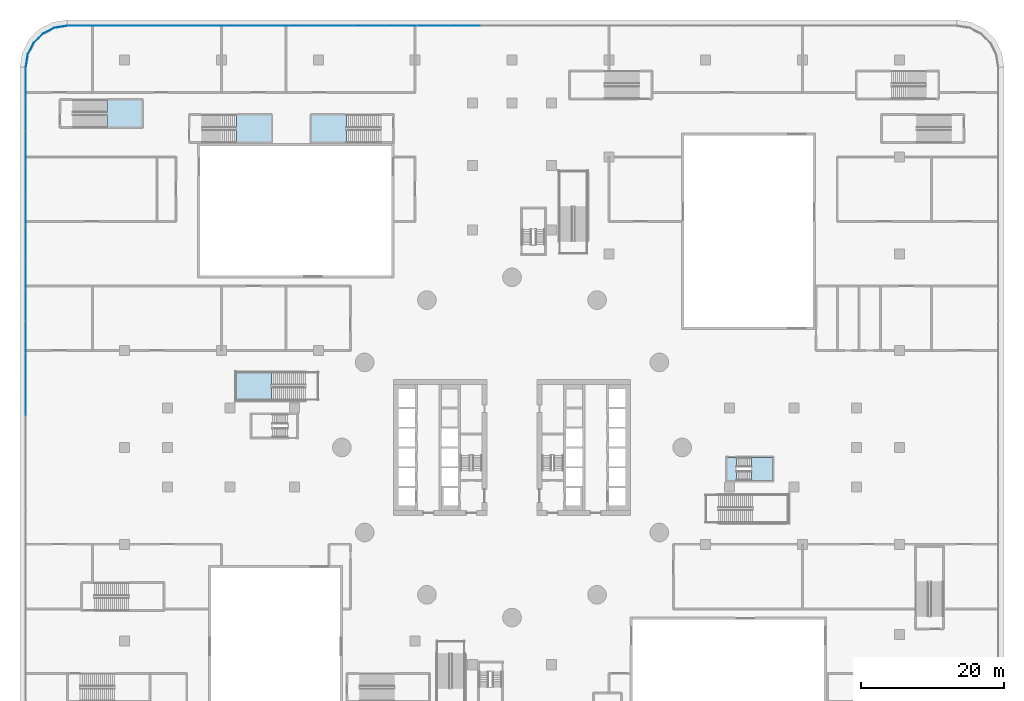
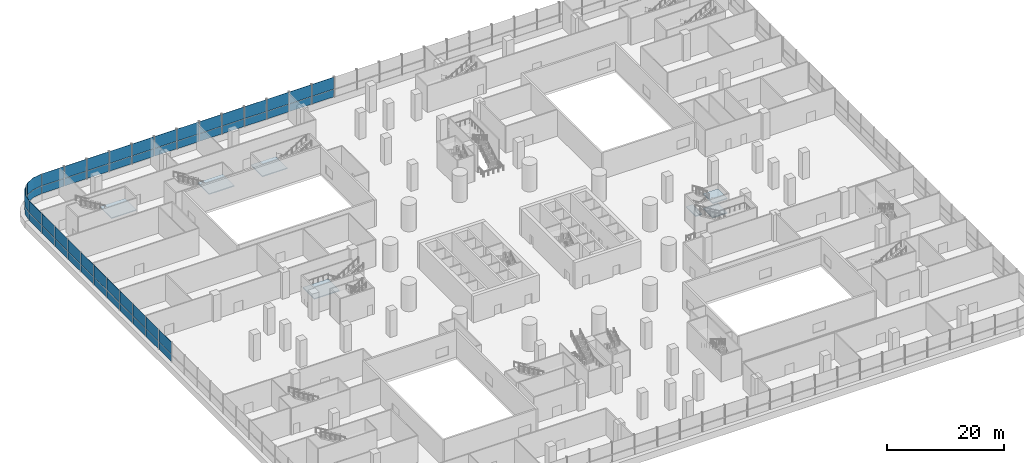
# One storey, part 25 of 52: 52 plates, 7 slabs, 8 elements without a shape of their own.
"""IFC4 building model written with IfcOpenShell, lengths in metres."""

from ifc_helpers import new_model, si_unit, direction, frame, origin, place, context, subcontext, project, spatial, polyline, outline, extrude, material, layer, layer_set, type_object, element, aggregate, save


model = new_model("IFC4")

# Units and contexts
model_context = context("Model", 3, precision=1e-05, world=origin(), true_north=direction((0.0, 1.0)))
body_context = subcontext(model_context, "Body", "Model", "MODEL_VIEW")
ifc_project = project(units=[si_unit("LENGTHUNIT", "METRE"), si_unit("AREAUNIT", "SQUARE_METRE"), si_unit("VOLUMEUNIT", "CUBIC_METRE"), si_unit("PLANEANGLEUNIT", "RADIAN"), si_unit("MASSUNIT", "GRAM", prefix="KILO")], contexts=[model_context])

# Site, building, storey
site_placement = place(None, origin())
site = spatial("IfcSite", under=ifc_project, at=site_placement, CompositionType="ELEMENT")
building_placement = place(site_placement, origin())
building = spatial("IfcBuilding", under=site, at=building_placement, Name="Tamarind Cross Interchange Tower", CompositionType="ELEMENT")
storey_placement = place(building_placement, frame((0.0, 0.0, 9.0)))
storey = spatial("IfcBuildingStorey", under=building, at=storey_placement, Name="L01", CompositionType="ELEMENT", Elevation=9.0)

# Stair, slab
ifc_material_1 = material(Name="Public stair")
stair_type_1 = type_object("IfcStairType", Name="Public stair", PredefinedType="HALF_TURN_STAIR", material=ifc_material_1)
stair_1_placement = place(storey_placement, origin())
stair_1 = element("IfcStair", 1, at=stair_1_placement, inside=storey, type_object=stair_type_1, Name="L01 public stair PS-W", PredefinedType="HALF_TURN_STAIR")
ifc_material_2 = material(Name="Concrete C40", Category="concrete")
ifc_layer_1 = layer(ifc_material_2, 0.199951171875)
ifc_layer_set_1 = layer_set([ifc_layer_1], Name="Concrete C40")
slab_type_1 = type_object("IfcSlabType", Name="Public stair landing", PredefinedType="LANDING", material=ifc_layer_set_1)
slab_1_placement = place(storey_placement, frame((0.0, 0.0, 2.800048828125)))
slab_1 = element("IfcSlab", 2, at=slab_1_placement, type_object=slab_type_1, Name="PS-W landing 1", PredefinedType="LANDING", context=body_context, shape_type="SweptSolid", body=[
    extrude(outline(polyline([(-33.56005859375, 10.5), (-38.5, 10.5), (-38.5, 6.60009765625), (-33.56005859375, 6.60009765625), (-33.56005859375, 10.5)])), origin(), (0.0, 0.0, 1.0), 0.199951171875),
])
aggregate(stair_1, [slab_1])

stair_2_placement = place(storey_placement, origin())
stair_2 = element("IfcStair", 3, at=stair_2_placement, inside=storey, type_object=stair_type_1, Name="L01 exit stair XS-P04", PredefinedType="HALF_TURN_STAIR")
slab_2_placement = place(storey_placement, frame((0.0, 0.0, 2.800048828125)))
slab_2 = element("IfcSlab", 4, at=slab_2_placement, type_object=slab_type_1, Name="XS-P04 landing 1", PredefinedType="LANDING", context=body_context, shape_type="SweptSolid", body=[
    extrude(outline(polyline([(-38.43994140625, 42.5), (-33.5, 42.5), (-33.5, 46.39990234375), (-38.43994140625, 46.39990234375), (-38.43994140625, 42.5)])), origin(), (0.0, 0.0, 1.0), 0.199951171875),
])
aggregate(stair_2, [slab_2])

stair_3_placement = place(storey_placement, origin())
stair_3 = element("IfcStair", 5, at=stair_3_placement, inside=storey, type_object=stair_type_1, Name="L01 exit stair XS-P05", PredefinedType="HALF_TURN_STAIR")
slab_3_placement = place(storey_placement, frame((0.0, 0.0, 2.800048828125)))
slab_3 = element("IfcSlab", 6, at=slab_3_placement, type_object=slab_type_1, Name="XS-P05 landing 1", PredefinedType="LANDING", context=body_context, shape_type="SweptSolid", body=[
    extrude(outline(polyline([(-56.43994140625, 44.60009765625), (-51.5, 44.60009765625), (-51.5, 48.5), (-56.43994140625, 48.5), (-56.43994140625, 44.60009765625)])), origin(), (0.0, 0.0, 1.0), 0.199951171875),
])
aggregate(stair_3, [slab_3])

stair_4_placement = place(storey_placement, origin())
stair_4 = element("IfcStair", 7, at=stair_4_placement, inside=storey, type_object=stair_type_1, Name="L01 exit stair XS-P06", PredefinedType="HALF_TURN_STAIR")
slab_4_placement = place(storey_placement, frame((0.0, 0.0, 2.800048828125)))
slab_4 = element("IfcSlab", 8, at=slab_4_placement, type_object=slab_type_1, Name="XS-P06 landing 1", PredefinedType="LANDING", context=body_context, shape_type="SweptSolid", body=[
    extrude(outline(polyline([(-23.06005859375, 46.39990234375), (-28.0, 46.39990234375), (-28.0, 42.5), (-23.06005859375, 42.5), (-23.06005859375, 46.39990234375)])), origin(), (0.0, 0.0, 1.0), 0.199951171875),
])
aggregate(stair_4, [slab_4])

# Stair, slabs
ifc_material_3 = material(Name="Exit stair")
stair_type_2 = type_object("IfcStairType", Name="Exit stair", PredefinedType="HALF_TURN_STAIR", material=ifc_material_3)
stair_5_placement = place(storey_placement, origin())
stair_5 = element("IfcStair", 9, at=stair_5_placement, inside=storey, type_object=stair_type_2, Name="L01 exit stair ST3", PredefinedType="HALF_TURN_STAIR")
ifc_layer_2 = layer(ifc_material_2, 0.199951171875)
ifc_layer_set_2 = layer_set([ifc_layer_2], Name="Concrete C40")
slab_type_2 = type_object("IfcSlabType", Name="Stair landing", PredefinedType="LANDING", material=ifc_layer_set_2)
slab_5_placement = place(storey_placement, frame((0.0, 0.0, 1.300048828125)))
slab_5 = element("IfcSlab", 10, at=slab_5_placement, type_object=slab_type_2, Name="ST3 landing 1", PredefinedType="LANDING", context=body_context, shape_type="SweptSolid", body=[
    extrude(outline(polyline([(33.367919921875, -4.60009765625), (36.300048828125, -4.60009765625), (36.300048828125, -1.39990234375), (33.367919921875, -1.39990234375), (33.367919921875, -4.60009765625)])), origin(), (0.0, 0.0, 1.0), 0.199951171875),
])
slab_6_placement = place(storey_placement, frame((0.0, 0.0, 2.800048828125)))
slab_6 = element("IfcSlab", 11, at=slab_6_placement, type_object=slab_type_2, Name="ST3 landing 2", PredefinedType="LANDING", context=body_context, shape_type="SweptSolid", body=[
    extrude(outline(polyline([(30.0, -4.60009765625), (31.31201171875, -4.60009765625), (31.31201171875, -1.39990234375), (30.0, -1.39990234375), (30.0, -4.60009765625)])), origin(), (0.0, 0.0, 1.0), 0.199951171875),
])
slab_7_placement = place(storey_placement, frame((0.0, 0.0, 4.300048828125)))
slab_7 = element("IfcSlab", 12, at=slab_7_placement, type_object=slab_type_2, Name="ST3 landing 3", PredefinedType="LANDING", context=body_context, shape_type="SweptSolid", body=[
    extrude(outline(polyline([(33.367919921875, -4.60009765625), (36.300048828125, -4.60009765625), (36.300048828125, -1.39990234375), (33.367919921875, -1.39990234375), (33.367919921875, -4.60009765625)])), origin(), (0.0, 0.0, 1.0), 0.199951171875),
])
aggregate(stair_5, [slab_5, slab_6, slab_7])

# Curtain wall, plates
ifc_material_4 = material(Name="Aluminium 6063-T6", Category="aluminium")
ifc_layer_3 = layer(ifc_material_4, 0.199951171875)
ifc_layer_set_3 = layer_set([ifc_layer_3], Name="Aluminium 6063-T6")
curtain_wall_type = type_object("IfcCurtainWallType", Name="Podium shopfront and station curtain wall", PredefinedType="NOTDEFINED", material=ifc_layer_set_3)
curtain_wall_1_placement = place(storey_placement, origin())
curtain_wall_1 = element("IfcCurtainWall", 13, at=curtain_wall_1_placement, inside=storey, type_object=curtain_wall_type, Name="CWS-L01-02", PredefinedType="NOTDEFINED")
ifc_material_5 = material(Name="Toughened low-e glass 10+12+10", Category="glass")
ifc_layer_4 = layer(ifc_material_5, 0.031982421875)
ifc_layer_set_4 = layer_set([ifc_layer_4], Name="Toughened low-e glass 10+12+10")
plate_type = type_object("IfcPlateType", Name="Vision panel CW3", PredefinedType="CURTAIN_PANEL", material=ifc_layer_set_4)
plate_1_placement = place(storey_placement, frame((0.0, 0.0, 1.39990234375)))
plate_1 = element("IfcPlate", 14, at=plate_1_placement, type_object=plate_type, Name="CWP-L01-02-15-0", PredefinedType="CURTAIN_PANEL", context=body_context, shape_type="SweptSolid", body=[
    extrude(outline(polyline([(-4.467529296875, 58.783935546875), (-8.81494140625, 58.783935546875), (-8.81494140625, 58.81591796875), (-4.467529296875, 58.81591796875), (-4.467529296875, 58.783935546875)])), origin(), (0.0, 0.0, 1.0), 1.570068359375),
])
plate_2_placement = place(storey_placement, frame((0.0, 0.0, 3.030029296875)))
plate_2 = element("IfcPlate", 15, at=plate_2_placement, type_object=plate_type, Name="CWP-L01-02-15-1", PredefinedType="CURTAIN_PANEL", context=body_context, shape_type="SweptSolid", body=[
    extrude(outline(polyline([(-4.467529296875, 58.783935546875), (-8.81494140625, 58.783935546875), (-8.81494140625, 58.81591796875), (-4.467529296875, 58.81591796875), (-4.467529296875, 58.783935546875)])), origin(), (0.0, 0.0, 1.0), 2.469970703125),
])
plate_3_placement = place(storey_placement, frame((0.0, 0.0, 1.39990234375)))
plate_3 = element("IfcPlate", 16, at=plate_3_placement, type_object=plate_type, Name="CWP-L01-02-16-0", PredefinedType="CURTAIN_PANEL", context=body_context, shape_type="SweptSolid", body=[
    extrude(outline(polyline([(-8.894775390625, 58.783935546875), (-13.242431640625, 58.783935546875), (-13.242431640625, 58.81591796875), (-8.894775390625, 58.81591796875), (-8.894775390625, 58.783935546875)])), origin(), (0.0, 0.0, 1.0), 1.570068359375),
])
plate_4_placement = place(storey_placement, frame((0.0, 0.0, 3.030029296875)))
plate_4 = element("IfcPlate", 17, at=plate_4_placement, type_object=plate_type, Name="CWP-L01-02-16-1", PredefinedType="CURTAIN_PANEL", context=body_context, shape_type="SweptSolid", body=[
    extrude(outline(polyline([(-8.894775390625, 58.783935546875), (-13.242431640625, 58.783935546875), (-13.242431640625, 58.81591796875), (-8.894775390625, 58.81591796875), (-8.894775390625, 58.783935546875)])), origin(), (0.0, 0.0, 1.0), 2.469970703125),
])
plate_5_placement = place(storey_placement, frame((0.0, 0.0, 1.39990234375)))
plate_5 = element("IfcPlate", 18, at=plate_5_placement, type_object=plate_type, Name="CWP-L01-02-17-0", PredefinedType="CURTAIN_PANEL", context=body_context, shape_type="SweptSolid", body=[
    extrude(outline(polyline([(-13.322265625, 58.783935546875), (-17.669677734375, 58.783935546875), (-17.669677734375, 58.81591796875), (-13.322265625, 58.81591796875), (-13.322265625, 58.783935546875)])), origin(), (0.0, 0.0, 1.0), 1.570068359375),
])
plate_6_placement = place(storey_placement, frame((0.0, 0.0, 3.030029296875)))
plate_6 = element("IfcPlate", 19, at=plate_6_placement, type_object=plate_type, Name="CWP-L01-02-17-1", PredefinedType="CURTAIN_PANEL", context=body_context, shape_type="SweptSolid", body=[
    extrude(outline(polyline([(-13.322265625, 58.783935546875), (-17.669677734375, 58.783935546875), (-17.669677734375, 58.81591796875), (-13.322265625, 58.81591796875), (-13.322265625, 58.783935546875)])), origin(), (0.0, 0.0, 1.0), 2.469970703125),
])
plate_7_placement = place(storey_placement, frame((0.0, 0.0, 1.39990234375)))
plate_7 = element("IfcPlate", 20, at=plate_7_placement, type_object=plate_type, Name="CWP-L01-02-18-0", PredefinedType="CURTAIN_PANEL", context=body_context, shape_type="SweptSolid", body=[
    extrude(outline(polyline([(-17.749755859375, 58.783935546875), (-22.09716796875, 58.783935546875), (-22.09716796875, 58.81591796875), (-17.749755859375, 58.81591796875), (-17.749755859375, 58.783935546875)])), origin(), (0.0, 0.0, 1.0), 1.570068359375),
])
plate_8_placement = place(storey_placement, frame((0.0, 0.0, 3.030029296875)))
plate_8 = element("IfcPlate", 21, at=plate_8_placement, type_object=plate_type, Name="CWP-L01-02-18-1", PredefinedType="CURTAIN_PANEL", context=body_context, shape_type="SweptSolid", body=[
    extrude(outline(polyline([(-17.749755859375, 58.783935546875), (-22.09716796875, 58.783935546875), (-22.09716796875, 58.81591796875), (-17.749755859375, 58.81591796875), (-17.749755859375, 58.783935546875)])), origin(), (0.0, 0.0, 1.0), 2.469970703125),
])
plate_9_placement = place(storey_placement, frame((0.0, 0.0, 1.39990234375)))
plate_9 = element("IfcPlate", 22, at=plate_9_placement, type_object=plate_type, Name="CWP-L01-02-19-0", PredefinedType="CURTAIN_PANEL", context=body_context, shape_type="SweptSolid", body=[
    extrude(outline(polyline([(-22.17724609375, 58.783935546875), (-26.524658203125, 58.783935546875), (-26.524658203125, 58.81591796875), (-22.17724609375, 58.81591796875), (-22.17724609375, 58.783935546875)])), origin(), (0.0, 0.0, 1.0), 1.570068359375),
])
plate_10_placement = place(storey_placement, frame((0.0, 0.0, 3.030029296875)))
plate_10 = element("IfcPlate", 23, at=plate_10_placement, type_object=plate_type, Name="CWP-L01-02-19-1", PredefinedType="CURTAIN_PANEL", context=body_context, shape_type="SweptSolid", body=[
    extrude(outline(polyline([(-22.17724609375, 58.783935546875), (-26.524658203125, 58.783935546875), (-26.524658203125, 58.81591796875), (-22.17724609375, 58.81591796875), (-22.17724609375, 58.783935546875)])), origin(), (0.0, 0.0, 1.0), 2.469970703125),
])
plate_11_placement = place(storey_placement, frame((0.0, 0.0, 1.39990234375)))
plate_11 = element("IfcPlate", 24, at=plate_11_placement, type_object=plate_type, Name="CWP-L01-02-20-0", PredefinedType="CURTAIN_PANEL", context=body_context, shape_type="SweptSolid", body=[
    extrude(outline(polyline([(-26.604736328125, 58.783935546875), (-30.9521484375, 58.783935546875), (-30.9521484375, 58.81591796875), (-26.604736328125, 58.81591796875), (-26.604736328125, 58.783935546875)])), origin(), (0.0, 0.0, 1.0), 1.570068359375),
])
plate_12_placement = place(storey_placement, frame((0.0, 0.0, 3.030029296875)))
plate_12 = element("IfcPlate", 25, at=plate_12_placement, type_object=plate_type, Name="CWP-L01-02-20-1", PredefinedType="CURTAIN_PANEL", context=body_context, shape_type="SweptSolid", body=[
    extrude(outline(polyline([(-26.604736328125, 58.783935546875), (-30.9521484375, 58.783935546875), (-30.9521484375, 58.81591796875), (-26.604736328125, 58.81591796875), (-26.604736328125, 58.783935546875)])), origin(), (0.0, 0.0, 1.0), 2.469970703125),
])
plate_13_placement = place(storey_placement, frame((0.0, 0.0, 1.39990234375)))
plate_13 = element("IfcPlate", 26, at=plate_13_placement, type_object=plate_type, Name="CWP-L01-02-21-0", PredefinedType="CURTAIN_PANEL", context=body_context, shape_type="SweptSolid", body=[
    extrude(outline(polyline([(-31.0322265625, 58.783935546875), (-35.379638671875, 58.783935546875), (-35.379638671875, 58.81591796875), (-31.0322265625, 58.81591796875), (-31.0322265625, 58.783935546875)])), origin(), (0.0, 0.0, 1.0), 1.570068359375),
])
plate_14_placement = place(storey_placement, frame((0.0, 0.0, 3.030029296875)))
plate_14 = element("IfcPlate", 27, at=plate_14_placement, type_object=plate_type, Name="CWP-L01-02-21-1", PredefinedType="CURTAIN_PANEL", context=body_context, shape_type="SweptSolid", body=[
    extrude(outline(polyline([(-31.0322265625, 58.783935546875), (-35.379638671875, 58.783935546875), (-35.379638671875, 58.81591796875), (-31.0322265625, 58.81591796875), (-31.0322265625, 58.783935546875)])), origin(), (0.0, 0.0, 1.0), 2.469970703125),
])
plate_15_placement = place(storey_placement, frame((0.0, 0.0, 1.39990234375)))
plate_15 = element("IfcPlate", 28, at=plate_15_placement, type_object=plate_type, Name="CWP-L01-02-22-0", PredefinedType="CURTAIN_PANEL", context=body_context, shape_type="SweptSolid", body=[
    extrude(outline(polyline([(-35.45947265625, 58.783935546875), (-39.80712890625, 58.783935546875), (-39.80712890625, 58.81591796875), (-35.45947265625, 58.81591796875), (-35.45947265625, 58.783935546875)])), origin(), (0.0, 0.0, 1.0), 1.570068359375),
])
plate_16_placement = place(storey_placement, frame((0.0, 0.0, 3.030029296875)))
plate_16 = element("IfcPlate", 29, at=plate_16_placement, type_object=plate_type, Name="CWP-L01-02-22-1", PredefinedType="CURTAIN_PANEL", context=body_context, shape_type="SweptSolid", body=[
    extrude(outline(polyline([(-35.45947265625, 58.783935546875), (-39.80712890625, 58.783935546875), (-39.80712890625, 58.81591796875), (-35.45947265625, 58.81591796875), (-35.45947265625, 58.783935546875)])), origin(), (0.0, 0.0, 1.0), 2.469970703125),
])
plate_17_placement = place(storey_placement, frame((0.0, 0.0, 1.39990234375)))
plate_17 = element("IfcPlate", 30, at=plate_17_placement, type_object=plate_type, Name="CWP-L01-02-23-0", PredefinedType="CURTAIN_PANEL", context=body_context, shape_type="SweptSolid", body=[
    extrude(outline(polyline([(-39.886962890625, 58.783935546875), (-44.234375, 58.783935546875), (-44.234375, 58.81591796875), (-39.886962890625, 58.81591796875), (-39.886962890625, 58.783935546875)])), origin(), (0.0, 0.0, 1.0), 1.570068359375),
])
plate_18_placement = place(storey_placement, frame((0.0, 0.0, 3.030029296875)))
plate_18 = element("IfcPlate", 31, at=plate_18_placement, type_object=plate_type, Name="CWP-L01-02-23-1", PredefinedType="CURTAIN_PANEL", context=body_context, shape_type="SweptSolid", body=[
    extrude(outline(polyline([(-39.886962890625, 58.783935546875), (-44.234375, 58.783935546875), (-44.234375, 58.81591796875), (-39.886962890625, 58.81591796875), (-39.886962890625, 58.783935546875)])), origin(), (0.0, 0.0, 1.0), 2.469970703125),
])
plate_19_placement = place(storey_placement, frame((0.0, 0.0, 1.39990234375)))
plate_19 = element("IfcPlate", 32, at=plate_19_placement, type_object=plate_type, Name="CWP-L01-02-24-0", PredefinedType="CURTAIN_PANEL", context=body_context, shape_type="SweptSolid", body=[
    extrude(outline(polyline([(-44.314453125, 58.783935546875), (-48.661865234375, 58.783935546875), (-48.661865234375, 58.81591796875), (-44.314453125, 58.81591796875), (-44.314453125, 58.783935546875)])), origin(), (0.0, 0.0, 1.0), 1.570068359375),
])
plate_20_placement = place(storey_placement, frame((0.0, 0.0, 3.030029296875)))
plate_20 = element("IfcPlate", 33, at=plate_20_placement, type_object=plate_type, Name="CWP-L01-02-24-1", PredefinedType="CURTAIN_PANEL", context=body_context, shape_type="SweptSolid", body=[
    extrude(outline(polyline([(-44.314453125, 58.783935546875), (-48.661865234375, 58.783935546875), (-48.661865234375, 58.81591796875), (-44.314453125, 58.81591796875), (-44.314453125, 58.783935546875)])), origin(), (0.0, 0.0, 1.0), 2.469970703125),
])
plate_21_placement = place(storey_placement, frame((0.0, 0.0, 1.39990234375)))
plate_21 = element("IfcPlate", 34, at=plate_21_placement, type_object=plate_type, Name="CWP-L01-02-25-0", PredefinedType="CURTAIN_PANEL", context=body_context, shape_type="SweptSolid", body=[
    extrude(outline(polyline([(-48.741943359375, 58.783935546875), (-53.08935546875, 58.783935546875), (-53.08935546875, 58.81591796875), (-48.741943359375, 58.81591796875), (-48.741943359375, 58.783935546875)])), origin(), (0.0, 0.0, 1.0), 1.570068359375),
])
plate_22_placement = place(storey_placement, frame((0.0, 0.0, 3.030029296875)))
plate_22 = element("IfcPlate", 35, at=plate_22_placement, type_object=plate_type, Name="CWP-L01-02-25-1", PredefinedType="CURTAIN_PANEL", context=body_context, shape_type="SweptSolid", body=[
    extrude(outline(polyline([(-48.741943359375, 58.783935546875), (-53.08935546875, 58.783935546875), (-53.08935546875, 58.81591796875), (-48.741943359375, 58.81591796875), (-48.741943359375, 58.783935546875)])), origin(), (0.0, 0.0, 1.0), 2.469970703125),
])
plate_23_placement = place(storey_placement, frame((0.0, 0.0, 1.39990234375)))
plate_23 = element("IfcPlate", 36, at=plate_23_placement, type_object=plate_type, Name="CWP-L01-02-26-0", PredefinedType="CURTAIN_PANEL", context=body_context, shape_type="SweptSolid", body=[
    extrude(outline(polyline([(-53.16943359375, 58.783935546875), (-57.516845703125, 58.783935546875), (-57.516845703125, 58.81591796875), (-53.16943359375, 58.81591796875), (-53.16943359375, 58.783935546875)])), origin(), (0.0, 0.0, 1.0), 1.570068359375),
])
plate_24_placement = place(storey_placement, frame((0.0, 0.0, 3.030029296875)))
plate_24 = element("IfcPlate", 37, at=plate_24_placement, type_object=plate_type, Name="CWP-L01-02-26-1", PredefinedType="CURTAIN_PANEL", context=body_context, shape_type="SweptSolid", body=[
    extrude(outline(polyline([(-53.16943359375, 58.783935546875), (-57.516845703125, 58.783935546875), (-57.516845703125, 58.81591796875), (-53.16943359375, 58.81591796875), (-53.16943359375, 58.783935546875)])), origin(), (0.0, 0.0, 1.0), 2.469970703125),
])
plate_25_placement = place(storey_placement, frame((0.0, 0.0, 1.39990234375)))
plate_25 = element("IfcPlate", 38, at=plate_25_placement, type_object=plate_type, Name="CWP-L01-02-27-0", PredefinedType="CURTAIN_PANEL", context=body_context, shape_type="SweptSolid", body=[
    extrude(outline(polyline([(-57.596923828125, 58.783935546875), (-61.9443359375, 58.783935546875), (-61.9443359375, 58.81591796875), (-57.596923828125, 58.81591796875), (-57.596923828125, 58.783935546875)])), origin(), (0.0, 0.0, 1.0), 1.570068359375),
])
plate_26_placement = place(storey_placement, frame((0.0, 0.0, 3.030029296875)))
plate_26 = element("IfcPlate", 39, at=plate_26_placement, type_object=plate_type, Name="CWP-L01-02-27-1", PredefinedType="CURTAIN_PANEL", context=body_context, shape_type="SweptSolid", body=[
    extrude(outline(polyline([(-57.596923828125, 58.783935546875), (-61.9443359375, 58.783935546875), (-61.9443359375, 58.81591796875), (-57.596923828125, 58.81591796875), (-57.596923828125, 58.783935546875)])), origin(), (0.0, 0.0, 1.0), 2.469970703125),
])
aggregate(curtain_wall_1, [plate_1, plate_2, plate_3, plate_4, plate_5, plate_6, plate_7, plate_8, plate_9, plate_10, plate_11, plate_12, plate_13, plate_14, plate_15, plate_16, plate_17, plate_18, plate_19, plate_20, plate_21, plate_22, plate_23, plate_24, plate_25, plate_26])

curtain_wall_2_placement = place(storey_placement, origin())
curtain_wall_2 = element("IfcCurtainWall", 40, at=curtain_wall_2_placement, inside=storey, type_object=curtain_wall_type, Name="CWS-L01-03", PredefinedType="NOTDEFINED")
plate_27_placement = place(storey_placement, frame((0.0, 0.0, 1.39990234375)))
plate_27 = element("IfcPlate", 41, at=plate_27_placement, type_object=plate_type, Name="CWP-L01-03-00-0", PredefinedType="CURTAIN_PANEL", context=body_context, shape_type="SweptSolid", body=[
    extrude(outline(polyline([(-62.021240234375, 58.77783203125), (-63.78662109375, 58.498291015625), (-65.398193359375, 57.67724609375), (-66.00927734375, 57.06591796875), (-66.031982421875, 57.088623046875), (-65.417236328125, 57.703369140625), (-63.796630859375, 58.529052734375), (-62.0263671875, 58.8095703125), (-62.021240234375, 58.77783203125)])), origin(), (0.0, 0.0, 1.0), 1.570068359375),
])
plate_28_placement = place(storey_placement, frame((0.0, 0.0, 3.030029296875)))
plate_28 = element("IfcPlate", 42, at=plate_28_placement, type_object=plate_type, Name="CWP-L01-03-00-1", PredefinedType="CURTAIN_PANEL", context=body_context, shape_type="SweptSolid", body=[
    extrude(outline(polyline([(-62.021240234375, 58.77783203125), (-63.78662109375, 58.498291015625), (-65.398193359375, 57.67724609375), (-66.00927734375, 57.06591796875), (-66.031982421875, 57.088623046875), (-65.417236328125, 57.703369140625), (-63.796630859375, 58.529052734375), (-62.0263671875, 58.8095703125), (-62.021240234375, 58.77783203125)])), origin(), (0.0, 0.0, 1.0), 2.469970703125),
])
plate_29_placement = place(storey_placement, frame((0.0, 0.0, 1.39990234375)))
plate_29 = element("IfcPlate", 43, at=plate_29_placement, type_object=plate_type, Name="CWP-L01-03-01-0", PredefinedType="CURTAIN_PANEL", context=body_context, shape_type="SweptSolid", body=[
    extrude(outline(polyline([(-66.06591796875, 57.00927734375), (-66.67724609375, 56.398193359375), (-67.498291015625, 54.78662109375), (-67.77783203125, 53.021240234375), (-67.8095703125, 53.0263671875), (-67.529052734375, 54.796630859375), (-66.703369140625, 56.417236328125), (-66.088623046875, 57.031982421875), (-66.06591796875, 57.00927734375)])), origin(), (0.0, 0.0, 1.0), 1.570068359375),
])
plate_30_placement = place(storey_placement, frame((0.0, 0.0, 3.030029296875)))
plate_30 = element("IfcPlate", 44, at=plate_30_placement, type_object=plate_type, Name="CWP-L01-03-01-1", PredefinedType="CURTAIN_PANEL", context=body_context, shape_type="SweptSolid", body=[
    extrude(outline(polyline([(-66.06591796875, 57.00927734375), (-66.67724609375, 56.398193359375), (-67.498291015625, 54.78662109375), (-67.77783203125, 53.021240234375), (-67.8095703125, 53.0263671875), (-67.529052734375, 54.796630859375), (-66.703369140625, 56.417236328125), (-66.088623046875, 57.031982421875), (-66.06591796875, 57.00927734375)])), origin(), (0.0, 0.0, 1.0), 2.469970703125),
])
aggregate(curtain_wall_2, [plate_27, plate_28, plate_29, plate_30])

curtain_wall_3_placement = place(storey_placement, origin())
curtain_wall_3 = element("IfcCurtainWall", 45, at=curtain_wall_3_placement, inside=storey, type_object=curtain_wall_type, Name="CWS-L01-04", PredefinedType="NOTDEFINED")
plate_31_placement = place(storey_placement, frame((0.0, 0.0, 1.39990234375)))
plate_31 = element("IfcPlate", 46, at=plate_31_placement, type_object=plate_type, Name="CWP-L01-04-00-0", PredefinedType="CURTAIN_PANEL", context=body_context, shape_type="SweptSolid", body=[
    extrude(outline(polyline([(-67.783935546875, 52.9443359375), (-67.783935546875, 48.60888671875), (-67.81591796875, 48.60888671875), (-67.81591796875, 52.9443359375), (-67.783935546875, 52.9443359375)])), origin(), (0.0, 0.0, 1.0), 1.570068359375),
])
plate_32_placement = place(storey_placement, frame((0.0, 0.0, 3.030029296875)))
plate_32 = element("IfcPlate", 47, at=plate_32_placement, type_object=plate_type, Name="CWP-L01-04-00-1", PredefinedType="CURTAIN_PANEL", context=body_context, shape_type="SweptSolid", body=[
    extrude(outline(polyline([(-67.783935546875, 52.9443359375), (-67.783935546875, 48.60888671875), (-67.81591796875, 48.60888671875), (-67.81591796875, 52.9443359375), (-67.783935546875, 52.9443359375)])), origin(), (0.0, 0.0, 1.0), 2.469970703125),
])
plate_33_placement = place(storey_placement, frame((0.0, 0.0, 1.39990234375)))
plate_33 = element("IfcPlate", 48, at=plate_33_placement, type_object=plate_type, Name="CWP-L01-04-01-0", PredefinedType="CURTAIN_PANEL", context=body_context, shape_type="SweptSolid", body=[
    extrude(outline(polyline([(-67.783935546875, 48.52880859375), (-67.783935546875, 44.193603515625), (-67.81591796875, 44.193603515625), (-67.81591796875, 48.52880859375), (-67.783935546875, 48.52880859375)])), origin(), (0.0, 0.0, 1.0), 1.570068359375),
])
plate_34_placement = place(storey_placement, frame((0.0, 0.0, 3.030029296875)))
plate_34 = element("IfcPlate", 49, at=plate_34_placement, type_object=plate_type, Name="CWP-L01-04-01-1", PredefinedType="CURTAIN_PANEL", context=body_context, shape_type="SweptSolid", body=[
    extrude(outline(polyline([(-67.783935546875, 48.52880859375), (-67.783935546875, 44.193603515625), (-67.81591796875, 44.193603515625), (-67.81591796875, 48.52880859375), (-67.783935546875, 48.52880859375)])), origin(), (0.0, 0.0, 1.0), 2.469970703125),
])
plate_35_placement = place(storey_placement, frame((0.0, 0.0, 1.39990234375)))
plate_35 = element("IfcPlate", 50, at=plate_35_placement, type_object=plate_type, Name="CWP-L01-04-02-0", PredefinedType="CURTAIN_PANEL", context=body_context, shape_type="SweptSolid", body=[
    extrude(outline(polyline([(-67.783935546875, 44.113525390625), (-67.783935546875, 39.778076171875), (-67.81591796875, 39.778076171875), (-67.81591796875, 44.113525390625), (-67.783935546875, 44.113525390625)])), origin(), (0.0, 0.0, 1.0), 1.570068359375),
])
plate_36_placement = place(storey_placement, frame((0.0, 0.0, 3.030029296875)))
plate_36 = element("IfcPlate", 51, at=plate_36_placement, type_object=plate_type, Name="CWP-L01-04-02-1", PredefinedType="CURTAIN_PANEL", context=body_context, shape_type="SweptSolid", body=[
    extrude(outline(polyline([(-67.783935546875, 44.113525390625), (-67.783935546875, 39.778076171875), (-67.81591796875, 39.778076171875), (-67.81591796875, 44.113525390625), (-67.783935546875, 44.113525390625)])), origin(), (0.0, 0.0, 1.0), 2.469970703125),
])
plate_37_placement = place(storey_placement, frame((0.0, 0.0, 1.39990234375)))
plate_37 = element("IfcPlate", 52, at=plate_37_placement, type_object=plate_type, Name="CWP-L01-04-03-0", PredefinedType="CURTAIN_PANEL", context=body_context, shape_type="SweptSolid", body=[
    extrude(outline(polyline([(-67.783935546875, 39.6982421875), (-67.783935546875, 35.36279296875), (-67.81591796875, 35.36279296875), (-67.81591796875, 39.6982421875), (-67.783935546875, 39.6982421875)])), origin(), (0.0, 0.0, 1.0), 1.570068359375),
])
plate_38_placement = place(storey_placement, frame((0.0, 0.0, 3.030029296875)))
plate_38 = element("IfcPlate", 53, at=plate_38_placement, type_object=plate_type, Name="CWP-L01-04-03-1", PredefinedType="CURTAIN_PANEL", context=body_context, shape_type="SweptSolid", body=[
    extrude(outline(polyline([(-67.783935546875, 39.6982421875), (-67.783935546875, 35.36279296875), (-67.81591796875, 35.36279296875), (-67.81591796875, 39.6982421875), (-67.783935546875, 39.6982421875)])), origin(), (0.0, 0.0, 1.0), 2.469970703125),
])
plate_39_placement = place(storey_placement, frame((0.0, 0.0, 1.39990234375)))
plate_39 = element("IfcPlate", 54, at=plate_39_placement, type_object=plate_type, Name="CWP-L01-04-04-0", PredefinedType="CURTAIN_PANEL", context=body_context, shape_type="SweptSolid", body=[
    extrude(outline(polyline([(-67.783935546875, 35.282958984375), (-67.783935546875, 30.947509765625), (-67.81591796875, 30.947509765625), (-67.81591796875, 35.282958984375), (-67.783935546875, 35.282958984375)])), origin(), (0.0, 0.0, 1.0), 1.570068359375),
])
plate_40_placement = place(storey_placement, frame((0.0, 0.0, 3.030029296875)))
plate_40 = element("IfcPlate", 55, at=plate_40_placement, type_object=plate_type, Name="CWP-L01-04-04-1", PredefinedType="CURTAIN_PANEL", context=body_context, shape_type="SweptSolid", body=[
    extrude(outline(polyline([(-67.783935546875, 35.282958984375), (-67.783935546875, 30.947509765625), (-67.81591796875, 30.947509765625), (-67.81591796875, 35.282958984375), (-67.783935546875, 35.282958984375)])), origin(), (0.0, 0.0, 1.0), 2.469970703125),
])
plate_41_placement = place(storey_placement, frame((0.0, 0.0, 1.39990234375)))
plate_41 = element("IfcPlate", 56, at=plate_41_placement, type_object=plate_type, Name="CWP-L01-04-05-0", PredefinedType="CURTAIN_PANEL", context=body_context, shape_type="SweptSolid", body=[
    extrude(outline(polyline([(-67.783935546875, 30.867431640625), (-67.783935546875, 26.5322265625), (-67.81591796875, 26.5322265625), (-67.81591796875, 30.867431640625), (-67.783935546875, 30.867431640625)])), origin(), (0.0, 0.0, 1.0), 1.570068359375),
])
plate_42_placement = place(storey_placement, frame((0.0, 0.0, 3.030029296875)))
plate_42 = element("IfcPlate", 57, at=plate_42_placement, type_object=plate_type, Name="CWP-L01-04-05-1", PredefinedType="CURTAIN_PANEL", context=body_context, shape_type="SweptSolid", body=[
    extrude(outline(polyline([(-67.783935546875, 30.867431640625), (-67.783935546875, 26.5322265625), (-67.81591796875, 26.5322265625), (-67.81591796875, 30.867431640625), (-67.783935546875, 30.867431640625)])), origin(), (0.0, 0.0, 1.0), 2.469970703125),
])
plate_43_placement = place(storey_placement, frame((0.0, 0.0, 1.39990234375)))
plate_43 = element("IfcPlate", 58, at=plate_43_placement, type_object=plate_type, Name="CWP-L01-04-06-0", PredefinedType="CURTAIN_PANEL", context=body_context, shape_type="SweptSolid", body=[
    extrude(outline(polyline([(-67.783935546875, 26.4521484375), (-67.783935546875, 22.11669921875), (-67.81591796875, 22.11669921875), (-67.81591796875, 26.4521484375), (-67.783935546875, 26.4521484375)])), origin(), (0.0, 0.0, 1.0), 1.570068359375),
])
plate_44_placement = place(storey_placement, frame((0.0, 0.0, 3.030029296875)))
plate_44 = element("IfcPlate", 59, at=plate_44_placement, type_object=plate_type, Name="CWP-L01-04-06-1", PredefinedType="CURTAIN_PANEL", context=body_context, shape_type="SweptSolid", body=[
    extrude(outline(polyline([(-67.783935546875, 26.4521484375), (-67.783935546875, 22.11669921875), (-67.81591796875, 22.11669921875), (-67.81591796875, 26.4521484375), (-67.783935546875, 26.4521484375)])), origin(), (0.0, 0.0, 1.0), 2.469970703125),
])
plate_45_placement = place(storey_placement, frame((0.0, 0.0, 1.39990234375)))
plate_45 = element("IfcPlate", 60, at=plate_45_placement, type_object=plate_type, Name="CWP-L01-04-07-0", PredefinedType="CURTAIN_PANEL", context=body_context, shape_type="SweptSolid", body=[
    extrude(outline(polyline([(-67.783935546875, 22.036865234375), (-67.783935546875, 17.701416015625), (-67.81591796875, 17.701416015625), (-67.81591796875, 22.036865234375), (-67.783935546875, 22.036865234375)])), origin(), (0.0, 0.0, 1.0), 1.570068359375),
])
plate_46_placement = place(storey_placement, frame((0.0, 0.0, 3.030029296875)))
plate_46 = element("IfcPlate", 61, at=plate_46_placement, type_object=plate_type, Name="CWP-L01-04-07-1", PredefinedType="CURTAIN_PANEL", context=body_context, shape_type="SweptSolid", body=[
    extrude(outline(polyline([(-67.783935546875, 22.036865234375), (-67.783935546875, 17.701416015625), (-67.81591796875, 17.701416015625), (-67.81591796875, 22.036865234375), (-67.783935546875, 22.036865234375)])), origin(), (0.0, 0.0, 1.0), 2.469970703125),
])
plate_47_placement = place(storey_placement, frame((0.0, 0.0, 1.39990234375)))
plate_47 = element("IfcPlate", 62, at=plate_47_placement, type_object=plate_type, Name="CWP-L01-04-08-0", PredefinedType="CURTAIN_PANEL", context=body_context, shape_type="SweptSolid", body=[
    extrude(outline(polyline([(-67.783935546875, 17.621337890625), (-67.783935546875, 13.2861328125), (-67.81591796875, 13.2861328125), (-67.81591796875, 17.621337890625), (-67.783935546875, 17.621337890625)])), origin(), (0.0, 0.0, 1.0), 1.570068359375),
])
plate_48_placement = place(storey_placement, frame((0.0, 0.0, 3.030029296875)))
plate_48 = element("IfcPlate", 63, at=plate_48_placement, type_object=plate_type, Name="CWP-L01-04-08-1", PredefinedType="CURTAIN_PANEL", context=body_context, shape_type="SweptSolid", body=[
    extrude(outline(polyline([(-67.783935546875, 17.621337890625), (-67.783935546875, 13.2861328125), (-67.81591796875, 13.2861328125), (-67.81591796875, 17.621337890625), (-67.783935546875, 17.621337890625)])), origin(), (0.0, 0.0, 1.0), 2.469970703125),
])
plate_49_placement = place(storey_placement, frame((0.0, 0.0, 1.39990234375)))
plate_49 = element("IfcPlate", 64, at=plate_49_placement, type_object=plate_type, Name="CWP-L01-04-09-0", PredefinedType="CURTAIN_PANEL", context=body_context, shape_type="SweptSolid", body=[
    extrude(outline(polyline([(-67.783935546875, 13.2060546875), (-67.783935546875, 8.87060546875), (-67.81591796875, 8.87060546875), (-67.81591796875, 13.2060546875), (-67.783935546875, 13.2060546875)])), origin(), (0.0, 0.0, 1.0), 1.570068359375),
])
plate_50_placement = place(storey_placement, frame((0.0, 0.0, 3.030029296875)))
plate_50 = element("IfcPlate", 65, at=plate_50_placement, type_object=plate_type, Name="CWP-L01-04-09-1", PredefinedType="CURTAIN_PANEL", context=body_context, shape_type="SweptSolid", body=[
    extrude(outline(polyline([(-67.783935546875, 13.2060546875), (-67.783935546875, 8.87060546875), (-67.81591796875, 8.87060546875), (-67.81591796875, 13.2060546875), (-67.783935546875, 13.2060546875)])), origin(), (0.0, 0.0, 1.0), 2.469970703125),
])
plate_51_placement = place(storey_placement, frame((0.0, 0.0, 1.39990234375)))
plate_51 = element("IfcPlate", 66, at=plate_51_placement, type_object=plate_type, Name="CWP-L01-04-10-0", PredefinedType="CURTAIN_PANEL", context=body_context, shape_type="SweptSolid", body=[
    extrude(outline(polyline([(-67.783935546875, 8.790771484375), (-67.783935546875, 4.455322265625), (-67.81591796875, 4.455322265625), (-67.81591796875, 8.790771484375), (-67.783935546875, 8.790771484375)])), origin(), (0.0, 0.0, 1.0), 1.570068359375),
])
plate_52_placement = place(storey_placement, frame((0.0, 0.0, 3.030029296875)))
plate_52 = element("IfcPlate", 67, at=plate_52_placement, type_object=plate_type, Name="CWP-L01-04-10-1", PredefinedType="CURTAIN_PANEL", context=body_context, shape_type="SweptSolid", body=[
    extrude(outline(polyline([(-67.783935546875, 8.790771484375), (-67.783935546875, 4.455322265625), (-67.81591796875, 4.455322265625), (-67.81591796875, 8.790771484375), (-67.783935546875, 8.790771484375)])), origin(), (0.0, 0.0, 1.0), 2.469970703125),
])
aggregate(curtain_wall_3, [plate_31, plate_32, plate_33, plate_34, plate_35, plate_36, plate_37, plate_38, plate_39, plate_40, plate_41, plate_42, plate_43, plate_44, plate_45, plate_46, plate_47, plate_48, plate_49, plate_50, plate_51, plate_52])

save(model, "model.ifc")
